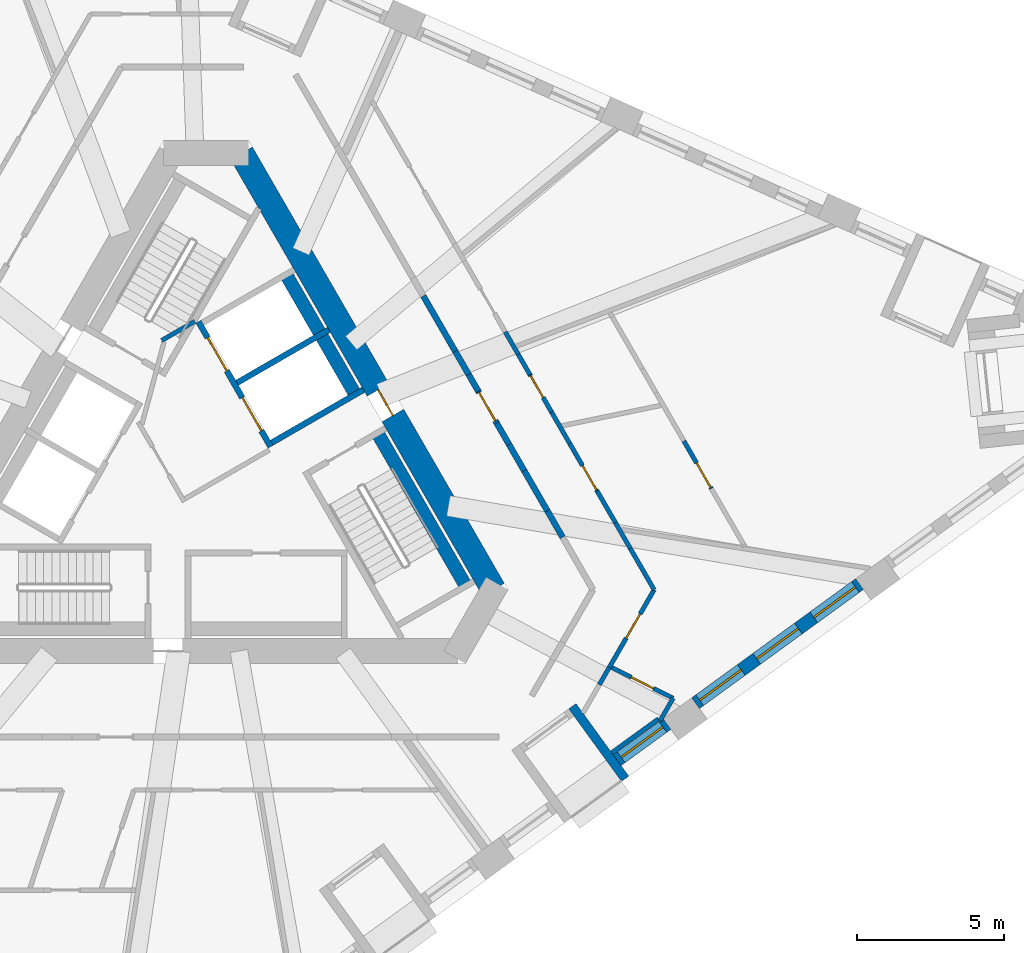
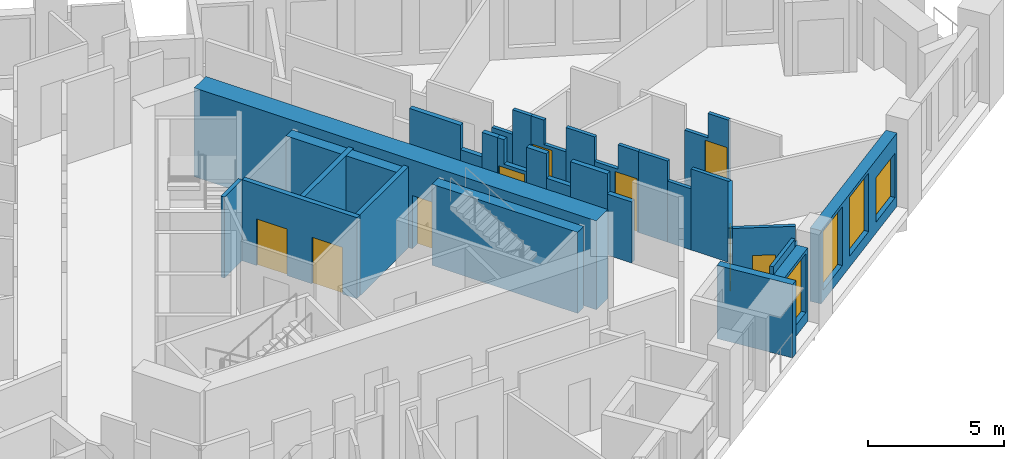
# One storey, part 5 of 14: 32 walls, 9 doors, 4 windows, 13 openings.
"""IFC4 building model written with IfcOpenShell, lengths in metres."""

from ifc_helpers import new_model, si_unit, direction, frame, frame_2d, origin, place, context, subcontext, project, spatial, polyline, rectangle, outline, extrude, material, layer, layer_set, type_object, element, fill, save


model = new_model("IFC4")

# Units and contexts
model_context = context("Model", 3, precision=1e-05, world=origin(), true_north=direction((0.0, 1.0)))
body_context = subcontext(model_context, "Body", "Model", "MODEL_VIEW")
ifc_project = project(units=[si_unit("LENGTHUNIT", "METRE"), si_unit("AREAUNIT", "SQUARE_METRE"), si_unit("VOLUMEUNIT", "CUBIC_METRE"), si_unit("PLANEANGLEUNIT", "RADIAN"), si_unit("MASSUNIT", "GRAM", prefix="KILO")], contexts=[model_context])

# Site, building, storey
site_placement = place(None, origin())
site = spatial("IfcSite", under=ifc_project, at=site_placement, CompositionType="ELEMENT")
building_placement = place(site_placement, origin())
building = spatial("IfcBuilding", under=site, at=building_placement, Name="Tramontana Tower", CompositionType="ELEMENT")
storey_placement = place(building_placement, frame((0.0, 0.0, 162.800048828125)))
storey = spatial("IfcBuildingStorey", under=building, at=storey_placement, Name="L37", CompositionType="ELEMENT", Elevation=162.800048828125)

# Wall, opening, door
ifc_material_1 = material(Name="Concrete 70 MPa", Category="concrete")
ifc_layer_1 = layer(ifc_material_1, 0.85009765625)
ifc_layer_set_1 = layer_set([ifc_layer_1], Name="Core wall 850 70 MPa")
wall_type_1 = type_object("IfcWallType", Name="Core wall 850 70 MPa", PredefinedType="SHEAR", material=ifc_layer_set_1)
wall_1_placement = place(storey_placement, frame((9.757080078125, -4.25, 0.0), z_axis=(0.0, 0.0, 1.0), x_axis=(-0.499995289315, 0.866028123483, 0.0)))
wall_1 = element("IfcWall", 1, at=wall_1_placement, inside=storey, type_object=wall_type_1, Name="Core wall C5 L37", PredefinedType="SHEAR", context=body_context, shape_type="SweptSolid", body=[
    extrude(rectangle(XDim=17.118408203125, YDim=0.85009765625, at=frame_2d((8.55908203125, 0.0))), origin(), (0.0, 0.0, 1.0), 4.0),
])
opening_1_placement = place(wall_1_placement, frame((6.834228515625, 0.0, 0.0)))
opening_1 = element("IfcOpeningElement", 2, at=opening_1_placement, cuts=wall_1, Name="Opening RG3", PredefinedType="OPENING", context=body_context, shape_type="SweptSolid", body=[
    extrude(rectangle(XDim=1.0, YDim=2.39990234375, at=frame_2d((0.5, 1.199951171875))), frame((0.0, 0.43505859375, 0.0), z_axis=(0.0, -1.0, 0.0), x_axis=(1.0, 0.0, 0.0)), (0.0, 0.0, 1.0), 0.8701171875),
])
ifc_material_2 = material(Name="Painted steel", Category="steel")
door_type_1 = type_object("IfcDoorType", Name="RING DOOR 1000", OperationType="SINGLE_SWING_LEFT", PredefinedType="DOOR", material=ifc_material_2)
door_1_placement = place(opening_1_placement, origin())
door_1 = element("IfcDoor", 3, at=door_1_placement, inside=storey, type_object=door_type_1, Name="Door RG3", OperationType="SINGLE_SWING_LEFT", OverallHeight=2.39990234375, OverallWidth=1.0, PredefinedType="DOOR", context=body_context, shape_type="SweptSolid", body=[
    extrude(rectangle(XDim=1.0, YDim=2.39990234375, at=frame_2d((0.5, 1.199951171875))), frame((0.0, 0.02490234375, 0.0), z_axis=(0.0, -1.0, 0.0), x_axis=(1.0, 0.0, 0.0)), (0.0, 0.0, 1.0), 0.050048828125),
])
fill(opening_1, door_1)

# Walls
ifc_material_3 = material(Name="Blockwork", Category="masonry")
ifc_layer_2 = layer(ifc_material_3, 0.199951171875)
ifc_layer_set_2 = layer_set([ifc_layer_2], Name="ENTRY WALL 200")
wall_type_2 = type_object("IfcWallType", Name="ENTRY WALL 200", PredefinedType="SOLIDWALL", material=ifc_layer_set_2)
wall_2_placement = place(storey_placement, frame((7.37548828125, 5.725341796875, 0.0), z_axis=(0.0, 0.0, 1.0), x_axis=(0.499975720793, -0.866039420937, 0.0)))
element("IfcWall", 4, at=wall_2_placement, inside=storey, type_object=wall_type_2, Name="Wall v40-ew0-4", PredefinedType="SOLIDWALL", context=body_context, shape_type="SweptSolid", body=[
    extrude(rectangle(XDim=2.16943359375, YDim=0.199951171875, at=frame_2d((1.084716796875, 0.0))), origin(), (0.0, 0.0, 1.0), 3.64990234375),
])
wall_3_placement = place(storey_placement, frame((8.460205078125, 3.846435546875, 0.0), z_axis=(0.0, 0.0, 1.0), x_axis=(0.499977996243, -0.866038107287, 0.0)))
element("IfcWall", 5, at=wall_3_placement, inside=storey, type_object=wall_type_2, Name="Wall v40-ew0-5", PredefinedType="SOLIDWALL", context=body_context, shape_type="SweptSolid", body=[
    extrude(rectangle(XDim=0.90966796875, YDim=0.199951171875, at=frame_2d((0.454833984375, 0.0))), origin(), (0.0, 0.0, 1.0), 2.550048828125),
])
wall_4_placement = place(storey_placement, frame((8.9150390625, 3.05859375, 0.0), z_axis=(0.0, 0.0, 1.0), x_axis=(0.49988272303, -0.866093103087, 0.0)))
element("IfcWall", 6, at=wall_4_placement, inside=storey, type_object=wall_type_2, Name="Wall v40-ew0-6", PredefinedType="SOLIDWALL", context=body_context, shape_type="SweptSolid", body=[
    extrude(rectangle(XDim=0.659423828125, YDim=0.199951171875, at=frame_2d((0.32958984375, 0.0))), origin(), (0.0, 0.0, 1.0), 3.64990234375),
])

# Wall, opening, door
wall_5_placement = place(storey_placement, frame((9.24462890625, 2.487548828125, 0.0), z_axis=(0.0, 0.0, 1.0), x_axis=(0.500124074208, -0.865953757655, 0.0)))
wall_5 = element("IfcWall", 7, at=wall_5_placement, inside=storey, type_object=wall_type_2, Name="Wall v40-ew0-7", PredefinedType="SOLIDWALL", context=body_context, shape_type="SweptSolid", body=[
    extrude(outline(polyline([(0.0, 0.0), (1.245361328125, 0.0), (1.2451171875, 2.550048828125), (0.291748046875, 2.550048828125), (0.291748046875, 3.64990234375), (0.0, 3.64990234375), (0.0, 0.0)])), frame((0.0, 0.10009765625, 0.0), z_axis=(0.0, -1.0, 0.0), x_axis=(1.0, 0.0, 0.0)), (0.0, 0.0, 1.0), 0.199951171875),
])
opening_2_placement = place(wall_5_placement, frame((0.050048828125, 0.0, 0.0)))
opening_2 = element("IfcOpeningElement", 8, at=opening_2_placement, cuts=wall_5, Name="Opening B4A-24", PredefinedType="OPENING", context=body_context, shape_type="SweptSolid", body=[
    extrude(rectangle(XDim=1.10009765625, YDim=2.39990234375, at=frame_2d((0.550048828125, 1.199951171875))), frame((0.0, 0.10986328125, 0.0), z_axis=(0.0, -1.0, 0.0), x_axis=(1.0, 0.0, 0.0)), (0.0, 0.0, 1.0), 0.219970703125),
])
ifc_material_4 = material(Name="Painted timber", Category="wood")
door_type_2 = type_object("IfcDoorType", Name="DOOR ENTRY 1100", OperationType="SINGLE_SWING_LEFT", PredefinedType="DOOR", material=ifc_material_4)
door_2_placement = place(opening_2_placement, origin())
door_2 = element("IfcDoor", 9, at=door_2_placement, inside=storey, type_object=door_type_2, Name="Door B4A-24", OperationType="SINGLE_SWING_RIGHT", OverallHeight=2.39990234375, OverallWidth=1.10009765625, PredefinedType="DOOR", context=body_context, shape_type="SweptSolid", body=[
    extrude(rectangle(XDim=1.10009765625, YDim=2.39990234375, at=frame_2d((0.550048828125, 1.199951171875))), frame((0.0, 0.02490234375, 0.0), z_axis=(0.0, -1.0, 0.0), x_axis=(1.0, 0.0, 0.0)), (0.0, 0.0, 1.0), 0.050048828125),
])
fill(opening_2, door_2)

# Walls
wall_6_placement = place(storey_placement, frame((9.867431640625, 1.4091796875, 0.0), z_axis=(0.0, 0.0, 1.0), x_axis=(0.499822960955, -0.8661275932, 0.0)))
element("IfcWall", 10, at=wall_6_placement, inside=storey, type_object=wall_type_2, Name="Wall v40-ew0-8", PredefinedType="SOLIDWALL", context=body_context, shape_type="SweptSolid", body=[
    extrude(rectangle(XDim=0.841064453125, YDim=0.199951171875, at=frame_2d((0.42041015625, 0.0))), origin(), (0.0, 0.0, 1.0), 3.64990234375),
])
wall_7_placement = place(storey_placement, frame((10.287841796875, 0.6806640625, 0.0), z_axis=(0.0, 0.0, 1.0), x_axis=(0.500079402778, -0.865979555715, 0.0)))
element("IfcWall", 11, at=wall_7_placement, inside=storey, type_object=wall_type_2, Name="Wall v40-ew0-9", PredefinedType="SOLIDWALL", context=body_context, shape_type="SweptSolid", body=[
    extrude(rectangle(XDim=1.026123046875, YDim=0.199951171875, at=frame_2d((0.51318359375, 0.0))), origin(), (0.0, 0.0, 1.0), 2.550048828125),
])
wall_8_placement = place(storey_placement, frame((10.801025390625, -0.2080078125, 0.0), z_axis=(0.0, 0.0, 1.0), x_axis=(0.500031717574, -0.86600709086, 0.0)))
element("IfcWall", 12, at=wall_8_placement, inside=storey, type_object=wall_type_2, Name="Wall v40-ew0-10", PredefinedType="SOLIDWALL", context=body_context, shape_type="SweptSolid", body=[
    extrude(rectangle(XDim=1.57177734375, YDim=0.199951171875, at=frame_2d((0.785888671875, 0.0))), origin(), (0.0, 0.0, 1.0), 3.64990234375),
])
wall_9_placement = place(storey_placement, frame((11.5869140625, -1.569091796875, 0.0), z_axis=(0.0, 0.0, 1.0), x_axis=(0.500054530113, -0.86599391852, 0.0)))
element("IfcWall", 13, at=wall_9_placement, inside=storey, type_object=wall_type_2, Name="Wall v40-ew0-11", PredefinedType="SOLIDWALL", context=body_context, shape_type="SweptSolid", body=[
    extrude(rectangle(XDim=1.03955078125, YDim=0.199951171875, at=frame_2d((0.519775390625, 0.0))), origin(), (0.0, 0.0, 1.0), 2.75),
])

# Wall, opening, window
ifc_material_5 = material(Name="Precast concrete 60 MPa", Category="concrete")
ifc_layer_3 = layer(ifc_material_5, 0.449951171875)
ifc_layer_set_3 = layer_set([ifc_layer_3], Name="Precast concrete 60 MPa, 450 mm")
wall_type_3 = type_object("IfcWallType", Name="EW1 Stone-faced precast wall 450", PredefinedType="SOLIDWALL", material=ifc_layer_set_3)
wall_10_placement = place(storey_placement, frame((13.955078125, -10.039794921875, 0.0), z_axis=(0.0, 0.0, 1.0), x_axis=(0.809028366311, 0.587769599847, 0.0)))
wall_10 = element("IfcWall", 14, at=wall_10_placement, inside=storey, type_object=wall_type_3, Name="External wall L37 face 1 bay 4", PredefinedType="SOLIDWALL", context=body_context, shape_type="SweptSolid", body=[
    extrude(rectangle(XDim=2.09423828125, YDim=0.449951171875, at=frame_2d((1.047119140625, 0.0))), origin(), (0.0, 0.0, 1.0), 3.300048828125),
])
opening_3_placement = place(wall_10_placement, frame((0.172119140625, 0.0, 0.5)))
opening_3 = element("IfcOpeningElement", 15, at=opening_3_placement, cuts=wall_10, Name="Opening M2", PredefinedType="OPENING", context=body_context, shape_type="SweptSolid", body=[
    extrude(rectangle(XDim=1.75, YDim=2.64990234375, at=frame_2d((0.875, 1.324951171875))), frame((0.0, 0.23486328125, 0.0), z_axis=(0.0, -1.0, 0.0), x_axis=(1.0, 0.0, 0.0)), (0.0, 0.0, 1.0), 0.469970703125),
])
ifc_material_6 = material(Name="Aluminum frame, double glazing unit", Category="aluminium")
window_type_1 = type_object("IfcWindowType", Name="M2 Window 1.75 x 2.65", PartitioningType="SINGLE_PANEL", PredefinedType="WINDOW", material=ifc_material_6)
window_1_placement = place(opening_3_placement, origin())
window_1 = element("IfcWindow", 16, at=window_1_placement, inside=storey, type_object=window_type_1, Name="Window M2 L37 face 1 module 12", OverallHeight=2.64990234375, OverallWidth=1.75, PartitioningType="SINGLE_PANEL", PredefinedType="WINDOW", context=body_context, shape_type="SweptSolid", body=[
    extrude(rectangle(XDim=1.75, YDim=2.64990234375, at=frame_2d((0.875, 1.324951171875))), frame((0.0, 0.030029296875, 0.0), z_axis=(0.0, -1.0, 0.0), x_axis=(1.0, 0.0, 0.0)), (0.0, 0.0, 1.0), 0.06005859375),
])
fill(opening_3, window_1)

# Wall, openings, windows
wall_11_placement = place(storey_placement, frame((16.6201171875, -8.103515625, 0.0), z_axis=(0.0, 0.0, 1.0), x_axis=(0.809016690404, 0.587785670672, 0.0)))
wall_11 = element("IfcWall", 17, at=wall_11_placement, inside=storey, type_object=wall_type_3, Name="External wall L37 face 1 bay 5", PredefinedType="SOLIDWALL", context=body_context, shape_type="SweptSolid", body=[
    extrude(rectangle(XDim=6.8828125, YDim=0.449951171875, at=frame_2d((3.44140625, 0.0))), origin(), (0.0, 0.0, 1.0), 3.300048828125),
])
opening_4_placement = place(wall_11_placement, frame((0.172119140625, 0.0, 0.5)))
opening_4 = element("IfcOpeningElement", 18, at=opening_4_placement, cuts=wall_11, Name="Opening M2", PredefinedType="OPENING", context=body_context, shape_type="SweptSolid", body=[
    extrude(rectangle(XDim=1.75, YDim=2.64990234375, at=frame_2d((0.875, 1.324951171875))), frame((0.0, 0.23486328125, 0.0), z_axis=(0.0, -1.0, 0.0), x_axis=(1.0, 0.0, 0.0)), (0.0, 0.0, 1.0), 0.469970703125),
])
opening_5_placement = place(wall_11_placement, frame((2.56640625, 0.0, 0.5)))
opening_5 = element("IfcOpeningElement", 19, at=opening_5_placement, cuts=wall_11, Name="Opening M2", PredefinedType="OPENING", context=body_context, shape_type="SweptSolid", body=[
    extrude(rectangle(XDim=1.75, YDim=2.64990234375, at=frame_2d((0.875, 1.324951171875))), frame((0.0, 0.23486328125, 0.0), z_axis=(0.0, -1.0, 0.0), x_axis=(1.0, 0.0, 0.0)), (0.0, 0.0, 1.0), 0.469970703125),
])
opening_6_placement = place(wall_11_placement, frame((4.960693359375, 0.0, 0.5)))
opening_6 = element("IfcOpeningElement", 20, at=opening_6_placement, cuts=wall_11, Name="Opening M2L", PredefinedType="OPENING", context=body_context, shape_type="SweptSolid", body=[
    extrude(rectangle(XDim=1.75, YDim=2.0, at=frame_2d((0.875, 1.0))), frame((0.0, 0.23486328125, 0.0), z_axis=(0.0, -1.0, 0.0), x_axis=(1.0, 0.0, 0.0)), (0.0, 0.0, 1.0), 0.469970703125),
])
window_2_placement = place(opening_4_placement, origin())
window_2 = element("IfcWindow", 21, at=window_2_placement, inside=storey, type_object=window_type_1, Name="Window M2 L37 face 1 module 13", OverallHeight=2.64990234375, OverallWidth=1.75, PartitioningType="SINGLE_PANEL", PredefinedType="WINDOW", context=body_context, shape_type="SweptSolid", body=[
    extrude(rectangle(XDim=1.75, YDim=2.64990234375, at=frame_2d((0.875, 1.324951171875))), frame((0.0, 0.030029296875, 0.0), z_axis=(0.0, -1.0, 0.0), x_axis=(1.0, 0.0, 0.0)), (0.0, 0.0, 1.0), 0.06005859375),
])
fill(opening_4, window_2)
window_3_placement = place(opening_5_placement, origin())
window_3 = element("IfcWindow", 22, at=window_3_placement, inside=storey, type_object=window_type_1, Name="Window M2 L37 face 1 module 14", OverallHeight=2.64990234375, OverallWidth=1.75, PartitioningType="SINGLE_PANEL", PredefinedType="WINDOW", context=body_context, shape_type="SweptSolid", body=[
    extrude(rectangle(XDim=1.75, YDim=2.64990234375, at=frame_2d((0.875, 1.324951171875))), frame((0.0, 0.030029296875, 0.0), z_axis=(0.0, -1.0, 0.0), x_axis=(1.0, 0.0, 0.0)), (0.0, 0.0, 1.0), 0.06005859375),
])
fill(opening_5, window_3)
ifc_material_7 = material(Name="Aluminum frame, double glazing unit", Category="aluminium")
window_type_2 = type_object("IfcWindowType", Name="M2L Window 1.75 x 2", PartitioningType="SINGLE_PANEL", PredefinedType="WINDOW", material=ifc_material_7)
window_4_placement = place(opening_6_placement, origin())
window_4 = element("IfcWindow", 23, at=window_4_placement, inside=storey, type_object=window_type_2, Name="Window M2L L37 face 1 module 15", OverallHeight=2.0, OverallWidth=1.75, PartitioningType="SINGLE_PANEL", PredefinedType="WINDOW", context=body_context, shape_type="SweptSolid", body=[
    extrude(rectangle(XDim=1.75, YDim=2.0, at=frame_2d((0.875, 1.0))), frame((0.0, 0.030029296875, 0.0), z_axis=(0.0, -1.0, 0.0), x_axis=(1.0, 0.0, 0.0)), (0.0, 0.0, 1.0), 0.06005859375),
])
fill(opening_6, window_4)

# Walls
ifc_material_8 = material(Name="Precast concrete 60 MPa", Category="concrete")
ifc_layer_4 = layer(ifc_material_8, 0.300048828125)
ifc_layer_set_4 = layer_set([ifc_layer_4], Name="LW1 Stone-faced loggia wall 300")
wall_type_4 = type_object("IfcWallType", Name="LW1 Stone-faced loggia wall 300", PredefinedType="SOLIDWALL", material=ifc_layer_set_4)
wall_12_placement = place(storey_placement, frame((14.23046875, -10.674072265625, 0.0), z_axis=(0.0, 0.0, 1.0), x_axis=(-0.587776590479, 0.80902328748, 0.0)))
element("IfcWall", 24, at=wall_12_placement, inside=storey, type_object=wall_type_4, Name="Loggia return L37 G4S1.10b", PredefinedType="SOLIDWALL", context=body_context, shape_type="SweptSolid", body=[
    extrude(rectangle(XDim=3.050048828125, YDim=0.300048828125, at=frame_2d((1.52490234375, 0.0))), origin(), (0.0, 0.0, 1.0), 3.300048828125),
])
ifc_material_9 = material(Name="Gypsum board partition")
ifc_layer_5 = layer(ifc_material_9, 0.14990234375)
ifc_layer_set_5 = layer_set([ifc_layer_5], Name="PARTITION 150")
wall_type_5 = type_object("IfcWallType", Name="PARTITION 150", PredefinedType="PARTITIONING", material=ifc_layer_set_5)
wall_13_placement = place(storey_placement, frame((-1.509765625, 4.21484375, 0.0), z_axis=(0.0, 0.0, 1.0), x_axis=(0.866085525409, 0.49989585183, 0.0)))
element("IfcWall", 25, at=wall_13_placement, inside=storey, type_object=wall_type_5, Name="Wall ff-end1", PredefinedType="PARTITIONING", context=body_context, shape_type="SweptSolid", body=[
    extrude(rectangle(XDim=1.300048828125, YDim=0.14990234375, at=frame_2d((0.64990234375, 0.0))), origin(), (0.0, 0.0, 1.0), 3.64990234375),
])
wall_14_placement = place(storey_placement, frame((10.1572265625, 4.50732421875, 0.0), z_axis=(0.0, 0.0, 1.0), x_axis=(0.499969398072, -0.866043071095, 0.0)))
element("IfcWall", 26, at=wall_14_placement, inside=storey, type_object=wall_type_5, Name="Wall v40-pw24-4", PredefinedType="PARTITIONING", context=body_context, shape_type="SweptSolid", body=[
    extrude(rectangle(XDim=0.88427734375, YDim=0.14990234375, at=frame_2d((0.442138671875, 0.0))), origin(), (0.0, 0.0, 1.0), 2.550048828125),
])
wall_15_placement = place(storey_placement, frame((10.599365234375, 3.741455078125, 0.0), z_axis=(0.0, 0.0, 1.0), x_axis=(0.499865263774, -0.866103179807, 0.0)))
element("IfcWall", 27, at=wall_15_placement, inside=storey, type_object=wall_type_5, Name="Wall v40-pw24-5", PredefinedType="PARTITIONING", context=body_context, shape_type="SweptSolid", body=[
    extrude(rectangle(XDim=0.789306640625, YDim=0.14990234375, at=frame_2d((0.39453125, 0.0))), origin(), (0.0, 0.0, 1.0), 3.64990234375),
])

# Wall, opening, door
wall_16_placement = place(storey_placement, frame((10.993896484375, 3.057861328125, 0.0), z_axis=(0.0, 0.0, 1.0), x_axis=(0.500022136814, -0.866012622712, 0.0)))
wall_16 = element("IfcWall", 28, at=wall_16_placement, inside=storey, type_object=wall_type_5, Name="Wall v40-pw24-6", PredefinedType="PARTITIONING", context=body_context, shape_type="SweptSolid", body=[
    extrude(outline(polyline([(0.0, 0.0), (1.48095703125, 0.0), (1.48095703125, 2.550048828125), (0.553955078125, 2.550048828125), (0.553955078125, 3.64990234375), (0.0, 3.64990234375), (0.0, 0.0)])), frame((0.0, 0.074951171875, 0.0), z_axis=(0.0, -1.0, 0.0), x_axis=(1.0, 0.0, 0.0)), (0.0, 0.0, 1.0), 0.14990234375),
])
opening_7_placement = place(wall_16_placement, frame((0.050048828125, 0.0, 0.0)))
opening_7 = element("IfcOpeningElement", 29, at=opening_7_placement, cuts=wall_16, Name="Opening B4A-16", PredefinedType="OPENING", context=body_context, shape_type="SweptSolid", body=[
    extrude(rectangle(XDim=0.85009765625, YDim=2.39990234375, at=frame_2d((0.425048828125, 1.199951171875))), frame((0.0, 0.0849609375, 0.0), z_axis=(0.0, -1.0, 0.0), x_axis=(1.0, 0.0, 0.0)), (0.0, 0.0, 1.0), 0.169921875),
])
ifc_material_10 = material(Name="Painted timber", Category="wood")
door_type_3 = type_object("IfcDoorType", Name="DOOR BATH 850", OperationType="SINGLE_SWING_LEFT", PredefinedType="DOOR", material=ifc_material_10)
door_3_placement = place(opening_7_placement, origin())
door_3 = element("IfcDoor", 30, at=door_3_placement, inside=storey, type_object=door_type_3, Name="Door B4A-16", OperationType="SINGLE_SWING_RIGHT", OverallHeight=2.39990234375, OverallWidth=0.85009765625, PredefinedType="DOOR", context=body_context, shape_type="SweptSolid", body=[
    extrude(rectangle(XDim=0.85009765625, YDim=2.39990234375, at=frame_2d((0.425048828125, 1.199951171875))), frame((0.0, 0.02490234375, 0.0), z_axis=(0.0, -1.0, 0.0), x_axis=(1.0, 0.0, 0.0)), (0.0, 0.0, 1.0), 0.050048828125),
])
fill(opening_7, door_3)

# Wall
wall_17_placement = place(storey_placement, frame((11.734375, 1.775390625, 0.0), z_axis=(0.0, 0.0, 1.0), x_axis=(0.499975448907, -0.8660395779, 0.0)))
element("IfcWall", 31, at=wall_17_placement, inside=storey, type_object=wall_type_5, Name="Wall v40-pw24-7", PredefinedType="PARTITIONING", context=body_context, shape_type="SweptSolid", body=[
    extrude(rectangle(XDim=1.22509765625, YDim=0.14990234375, at=frame_2d((0.612548828125, 0.0))), origin(), (0.0, 0.0, 1.0), 3.64990234375),
])

# Wall, opening, door
wall_18_placement = place(storey_placement, frame((12.346923828125, 0.71435546875, 0.0), z_axis=(0.0, 0.0, 1.0), x_axis=(0.499998297855, -0.866026386516, 0.0)))
wall_18 = element("IfcWall", 32, at=wall_18_placement, inside=storey, type_object=wall_type_5, Name="Wall v40-pw24-8", PredefinedType="PARTITIONING", context=body_context, shape_type="SweptSolid", body=[
    extrude(outline(polyline([(0.0, 0.0), (1.8642578125, 0.0), (1.864501953125, 3.64990234375), (0.997802734375, 3.64990234375), (0.997802734375, 2.550048828125), (0.0, 2.550048828125), (0.0, 0.0)])), frame((0.0, 0.074951171875, 0.0), z_axis=(0.0, -1.0, 0.0), x_axis=(1.0, 0.0, 0.0)), (0.0, 0.0, 1.0), 0.14990234375),
])
opening_8_placement = place(wall_18_placement, frame((0.864501953125, 0.0, 0.0)))
opening_8 = element("IfcOpeningElement", 33, at=opening_8_placement, cuts=wall_18, Name="Opening B4A-15", PredefinedType="OPENING", context=body_context, shape_type="SweptSolid", body=[
    extrude(rectangle(XDim=0.949951171875, YDim=2.39990234375, at=frame_2d((0.47509765625, 1.199951171875))), frame((0.0, 0.0849609375, 0.0), z_axis=(0.0, -1.0, 0.0), x_axis=(1.0, 0.0, 0.0)), (0.0, 0.0, 1.0), 0.169921875),
])
ifc_material_11 = material(Name="Painted timber", Category="wood")
door_type_4 = type_object("IfcDoorType", Name="DOOR ROOM 950", OperationType="SINGLE_SWING_LEFT", PredefinedType="DOOR", material=ifc_material_11)
door_4_placement = place(opening_8_placement, origin())
door_4 = element("IfcDoor", 34, at=door_4_placement, inside=storey, type_object=door_type_4, Name="Door B4A-15", OperationType="SINGLE_SWING_LEFT", OverallHeight=2.39990234375, OverallWidth=0.949951171875, PredefinedType="DOOR", context=body_context, shape_type="SweptSolid", body=[
    extrude(rectangle(XDim=0.949951171875, YDim=2.39990234375, at=frame_2d((0.47509765625, 1.199951171875))), frame((0.0, 0.02490234375, 0.0), z_axis=(0.0, -1.0, 0.0), x_axis=(1.0, 0.0, 0.0)), (0.0, 0.0, 1.0), 0.050048828125),
])
fill(opening_8, door_4)

# Walls
wall_19_placement = place(storey_placement, frame((13.279052734375, -0.900146484375, 0.0), z_axis=(0.0, 0.0, 1.0), x_axis=(0.500090980937, -0.865972869544, 0.0)))
element("IfcWall", 35, at=wall_19_placement, inside=storey, type_object=wall_type_5, Name="Wall v40-pw24-9", PredefinedType="PARTITIONING", context=body_context, shape_type="SweptSolid", body=[
    extrude(rectangle(XDim=1.242431640625, YDim=0.14990234375, at=frame_2d((0.62109375, 0.0))), origin(), (0.0, 0.0, 1.0), 3.64990234375),
])
wall_20_placement = place(storey_placement, frame((13.900390625, -1.97607421875, 0.0), z_axis=(0.0, 0.0, 1.0), x_axis=(0.499946326053, -0.866056390234, 0.0)))
element("IfcWall", 36, at=wall_20_placement, inside=storey, type_object=wall_type_5, Name="Wall v40-pw24-10", PredefinedType="PARTITIONING", context=body_context, shape_type="SweptSolid", body=[
    extrude(rectangle(XDim=1.0068359375, YDim=0.14990234375, at=frame_2d((0.50341796875, 0.0))), origin(), (0.0, 0.0, 1.0), 2.75),
])
wall_21_placement = place(storey_placement, frame((14.40380859375, -2.84814453125, 0.0), z_axis=(0.0, 0.0, 1.0), x_axis=(0.499983569942, -0.866034889475, 0.0)))
element("IfcWall", 37, at=wall_21_placement, inside=storey, type_object=wall_type_5, Name="Wall v40-pw24-11", PredefinedType="PARTITIONING", context=body_context, shape_type="SweptSolid", body=[
    extrude(rectangle(XDim=1.61865234375, YDim=0.14990234375, at=frame_2d((0.809326171875, 0.0))), origin(), (0.0, 0.0, 1.0), 3.64990234375),
])

# Wall, opening, door
wall_22_placement = place(storey_placement, frame((16.22265625, 0.80126953125, 0.0), z_axis=(0.0, 0.0, 1.0), x_axis=(0.500061949227, -0.865989634427, 0.0)))
wall_22 = element("IfcWall", 38, at=wall_22_placement, inside=storey, type_object=wall_type_5, Name="Wall v40-pw31-4", PredefinedType="PARTITIONING", context=body_context, shape_type="SweptSolid", body=[
    extrude(outline(polyline([(0.0, 0.0), (1.867431640625, 0.0), (1.867431640625, 3.64990234375), (0.997802734375, 3.64990234375), (0.997802734375, 2.550048828125), (0.0, 2.550048828125), (0.0, 0.0)])), frame((0.0, 0.074951171875, 0.0), z_axis=(0.0, -1.0, 0.0), x_axis=(1.0, 0.0, 0.0)), (0.0, 0.0, 1.0), 0.14990234375),
])
opening_9_placement = place(wall_22_placement, frame((0.867431640625, 0.0, 0.0)))
opening_9 = element("IfcOpeningElement", 39, at=opening_9_placement, cuts=wall_22, Name="Opening B4A-21", PredefinedType="OPENING", context=body_context, shape_type="SweptSolid", body=[
    extrude(rectangle(XDim=0.949951171875, YDim=2.39990234375, at=frame_2d((0.47509765625, 1.199951171875))), frame((0.0, 0.0849609375, 0.0), z_axis=(0.0, -1.0, 0.0), x_axis=(1.0, 0.0, 0.0)), (0.0, 0.0, 1.0), 0.169921875),
])
door_5_placement = place(opening_9_placement, origin())
door_5 = element("IfcDoor", 40, at=door_5_placement, inside=storey, type_object=door_type_4, Name="Door B4A-21", OperationType="SINGLE_SWING_LEFT", OverallHeight=2.39990234375, OverallWidth=0.949951171875, PredefinedType="DOOR", context=body_context, shape_type="SweptSolid", body=[
    extrude(rectangle(XDim=0.949951171875, YDim=2.39990234375, at=frame_2d((0.47509765625, 1.199951171875))), frame((0.0, 0.02490234375, 0.0), z_axis=(0.0, -1.0, 0.0), x_axis=(1.0, 0.0, 0.0)), (0.0, 0.0, 1.0), 0.050048828125),
])
fill(opening_9, door_5)

wall_23_placement = place(storey_placement, frame((15.85791015625, -7.93310546875, 0.0), z_axis=(0.0, 0.0, 1.0), x_axis=(-0.894343317487, 0.447381303215, 0.0)))
wall_23 = element("IfcWall", 41, at=wall_23_placement, inside=storey, type_object=wall_type_5, Name="Wall v40-pw32", PredefinedType="PARTITIONING", context=body_context, shape_type="SweptSolid", body=[
    extrude(rectangle(XDim=2.3291015625, YDim=0.14990234375, at=frame_2d((1.16455078125, 0.0))), origin(), (0.0, 0.0, 1.0), 3.64990234375),
])
opening_10_placement = place(wall_23_placement, frame((0.739501953125, 0.0, 0.0)))
opening_10 = element("IfcOpeningElement", 42, at=opening_10_placement, cuts=wall_23, Name="Opening B4A-20", PredefinedType="OPENING", context=body_context, shape_type="SweptSolid", body=[
    extrude(rectangle(XDim=0.85009765625, YDim=2.39990234375, at=frame_2d((0.425048828125, 1.199951171875))), frame((0.0, 0.0849609375, 0.0), z_axis=(0.0, -1.0, 0.0), x_axis=(1.0, 0.0, 0.0)), (0.0, 0.0, 1.0), 0.169921875),
])
door_6_placement = place(opening_10_placement, origin())
door_6 = element("IfcDoor", 43, at=door_6_placement, inside=storey, type_object=door_type_3, Name="Door B4A-20", OperationType="SINGLE_SWING_RIGHT", OverallHeight=2.39990234375, OverallWidth=0.85009765625, PredefinedType="DOOR", context=body_context, shape_type="SweptSolid", body=[
    extrude(rectangle(XDim=0.85009765625, YDim=2.39990234375, at=frame_2d((0.425048828125, 1.199951171875))), frame((0.0, 0.02490234375, 0.0), z_axis=(0.0, -1.0, 0.0), x_axis=(1.0, 0.0, 0.0)), (0.0, 0.0, 1.0), 0.050048828125),
])
fill(opening_10, door_6)

wall_24_placement = place(storey_placement, frame((15.213134765625, -4.25, 0.0), z_axis=(0.0, 0.0, 1.0), x_axis=(-0.500018497585, -0.866014723935, 0.0)))
wall_24 = element("IfcWall", 44, at=wall_24_placement, inside=storey, type_object=wall_type_5, Name="Wall v40-pw33-0", PredefinedType="PARTITIONING", context=body_context, shape_type="SweptSolid", body=[
    extrude(rectangle(XDim=3.0458984375, YDim=0.14990234375, at=frame_2d((1.52294921875, 0.0))), origin(), (0.0, 0.0, 1.0), 3.64990234375),
])
opening_11_placement = place(wall_24_placement, frame((0.9501953125, 0.0, 0.0)))
opening_11 = element("IfcOpeningElement", 45, at=opening_11_placement, cuts=wall_24, Name="Opening B4A-17", PredefinedType="OPENING", context=body_context, shape_type="SweptSolid", body=[
    extrude(rectangle(XDim=0.949951171875, YDim=2.39990234375, at=frame_2d((0.47509765625, 1.199951171875))), frame((0.0, 0.0849609375, 0.0), z_axis=(0.0, -1.0, 0.0), x_axis=(1.0, 0.0, 0.0)), (0.0, 0.0, 1.0), 0.169921875),
])
door_7_placement = place(opening_11_placement, origin())
door_7 = element("IfcDoor", 46, at=door_7_placement, inside=storey, type_object=door_type_4, Name="Door B4A-17", OperationType="SINGLE_SWING_LEFT", OverallHeight=2.39990234375, OverallWidth=0.949951171875, PredefinedType="DOOR", context=body_context, shape_type="SweptSolid", body=[
    extrude(rectangle(XDim=0.949951171875, YDim=2.39990234375, at=frame_2d((0.47509765625, 1.199951171875))), frame((0.0, 0.02490234375, 0.0), z_axis=(0.0, -1.0, 0.0), x_axis=(1.0, 0.0, 0.0)), (0.0, 0.0, 1.0), 0.050048828125),
])
fill(opening_11, door_7)

# Walls
wall_25_placement = place(storey_placement, frame((13.690185546875, -6.8876953125, 0.0), z_axis=(0.0, 0.0, 1.0), x_axis=(-0.499910196476, -0.866077245666, 0.0)))
element("IfcWall", 47, at=wall_25_placement, inside=storey, type_object=wall_type_5, Name="Wall v40-pw33-1", PredefinedType="PARTITIONING", context=body_context, shape_type="SweptSolid", body=[
    extrude(rectangle(XDim=0.67529296875, YDim=0.14990234375, at=frame_2d((0.337646484375, 0.0))), origin(), (0.0, 0.0, 1.0), 2.949951171875),
])
wall_26_placement = place(storey_placement, frame((15.364501953125, -8.6328125, 0.0), z_axis=(0.0, 0.0, 1.0), x_axis=(-0.809036512602, -0.58775838682, 0.0)))
element("IfcWall", 48, at=wall_26_placement, inside=storey, type_object=wall_type_5, Name="Wall v40-pw34", PredefinedType="PARTITIONING", context=body_context, shape_type="SweptSolid", body=[
    extrude(rectangle(XDim=1.96728515625, YDim=0.14990234375, at=frame_2d((0.983642578125, 0.0))), origin(), (0.0, 0.0, 1.0), 3.64990234375),
])
wall_27_placement = place(storey_placement, frame((15.85791015625, -7.93310546875, 0.0), z_axis=(0.0, 0.0, 1.0), x_axis=(-0.500016243463, -0.866016025414, 0.0)))
element("IfcWall", 49, at=wall_27_placement, inside=storey, type_object=wall_type_5, Name="Wall v40-pw35-0", PredefinedType="PARTITIONING", context=body_context, shape_type="SweptSolid", body=[
    extrude(rectangle(XDim=0.88720703125, YDim=0.14990234375, at=frame_2d((0.443603515625, 0.0))), origin(), (0.0, 0.0, 1.0), 2.949951171875),
])
ifc_material_12 = material(Name="Concrete 70 MPa", Category="concrete")
ifc_layer_6 = layer(ifc_material_12, 0.449951171875)
ifc_layer_set_6 = layer_set([ifc_layer_6], Name="Concrete 70 MPa, 450 mm")
wall_type_6 = type_object("IfcWallType", Name="RC SHAFT BACK WALL 450", PredefinedType="SOLIDWALL", material=ifc_layer_set_6)
wall_28_placement = place(storey_placement, frame((8.8681640625, -4.2099609375, 0.0), z_axis=(0.0, 0.0, 1.0), x_axis=(-0.500009909098, 0.866019682689, 0.0)))
element("IfcWall", 50, at=wall_28_placement, inside=storey, type_object=wall_type_6, Name="Wall st3-back", PredefinedType="SOLIDWALL", context=body_context, shape_type="SweptSolid", body=[
    extrude(rectangle(XDim=6.199951171875, YDim=0.449951171875, at=frame_2d((3.10009765625, 0.0))), origin(), (0.0, 0.0, 1.0), 3.64990234375),
])
wall_29_placement = place(storey_placement, frame((5.113037109375, 2.2939453125, 0.0), z_axis=(0.0, 0.0, 1.0), x_axis=(-0.500002801628, 0.866023786258, 0.0)))
element("IfcWall", 51, at=wall_29_placement, inside=storey, type_object=wall_type_6, Name="Wall row2-back", PredefinedType="SOLIDWALL", context=body_context, shape_type="SweptSolid", body=[
    extrude(rectangle(XDim=4.89990234375, YDim=0.449951171875, at=frame_2d((2.449951171875, 0.0))), origin(), (0.0, 0.0, 1.0), 3.64990234375),
])

# Wall, openings, doors
ifc_material_13 = material(Name="Concrete 70 MPa", Category="concrete")
ifc_layer_7 = layer(ifc_material_13, 0.199951171875)
ifc_layer_set_7 = layer_set([ifc_layer_7], Name="Concrete 70 MPa, 200 mm")
wall_type_7 = type_object("IfcWallType", Name="RC STAIR AND SHAFT WALL 200", PredefinedType="SOLIDWALL", material=ifc_layer_set_7)
wall_30_placement = place(storey_placement, frame((2.190185546875, 0.6064453125, 0.0), z_axis=(0.0, 0.0, 1.0), x_axis=(-0.500002801628, 0.866023786258, 0.0)))
wall_30 = element("IfcWall", 52, at=wall_30_placement, inside=storey, type_object=wall_type_7, Name="Wall row2-front", PredefinedType="SOLIDWALL", context=body_context, shape_type="SweptSolid", body=[
    extrude(rectangle(XDim=4.89990234375, YDim=0.199951171875, at=frame_2d((2.449951171875, 0.0))), origin(), (0.0, 0.0, 1.0), 3.64990234375),
])
opening_12_placement = place(wall_30_placement, frame((0.625, 0.0, 0.0)))
opening_12 = element("IfcOpeningElement", 53, at=opening_12_placement, cuts=wall_30, Name="Opening LD-F1", PredefinedType="OPENING", context=body_context, shape_type="SweptSolid", body=[
    extrude(rectangle(XDim=1.300048828125, YDim=2.10009765625, at=frame_2d((0.64990234375, 1.050048828125))), frame((0.0, 0.10986328125, 0.0), z_axis=(0.0, -1.0, 0.0), x_axis=(1.0, 0.0, 0.0)), (0.0, 0.0, 1.0), 0.219970703125),
])
opening_13_placement = place(wall_30_placement, frame((2.97509765625, 0.0, 0.0)))
opening_13 = element("IfcOpeningElement", 54, at=opening_13_placement, cuts=wall_30, Name="Opening LD-F2", PredefinedType="OPENING", context=body_context, shape_type="SweptSolid", body=[
    extrude(rectangle(XDim=1.300048828125, YDim=2.10009765625, at=frame_2d((0.64990234375, 1.050048828125))), frame((0.0, 0.10986328125, 0.0), z_axis=(0.0, -1.0, 0.0), x_axis=(1.0, 0.0, 0.0)), (0.0, 0.0, 1.0), 0.219970703125),
])
ifc_material_14 = material(Name="Brushed steel", Category="steel")
door_type_5 = type_object("IfcDoorType", Name="LANDING DOOR 1300", OperationType="SINGLE_SWING_LEFT", PredefinedType="DOOR", material=ifc_material_14)
door_8_placement = place(opening_12_placement, origin())
door_8 = element("IfcDoor", 55, at=door_8_placement, inside=storey, type_object=door_type_5, Name="Door LD-F1", OperationType="SLIDING_TO_RIGHT", OverallHeight=2.10009765625, OverallWidth=1.300048828125, PredefinedType="DOOR", context=body_context, shape_type="SweptSolid", body=[
    extrude(rectangle(XDim=1.300048828125, YDim=2.10009765625, at=frame_2d((0.64990234375, 1.050048828125))), frame((0.0, 0.02490234375, 0.0), z_axis=(0.0, -1.0, 0.0), x_axis=(1.0, 0.0, 0.0)), (0.0, 0.0, 1.0), 0.050048828125),
])
fill(opening_12, door_8)
door_9_placement = place(opening_13_placement, origin())
door_9 = element("IfcDoor", 56, at=door_9_placement, inside=storey, type_object=door_type_5, Name="Door LD-F2", OperationType="SLIDING_TO_LEFT", OverallHeight=2.10009765625, OverallWidth=1.300048828125, PredefinedType="DOOR", context=body_context, shape_type="SweptSolid", body=[
    extrude(rectangle(XDim=1.300048828125, YDim=2.10009765625, at=frame_2d((0.64990234375, 1.050048828125))), frame((0.0, 0.02490234375, 0.0), z_axis=(0.0, -1.0, 0.0), x_axis=(1.0, 0.0, 0.0)), (0.0, 0.0, 1.0), 0.050048828125),
])
fill(opening_13, door_9)

# Walls
for number, where, z_axis, x_axis, name in (
    (57, (2.226806640625, 0.742919921875, 0.0), (0.0, 0.0, 1.0), (0.866018442252, 0.500012057535, 0.0), "Wall row2-side0"),
    (58, (1.0517578125, 2.778076171875, 0.0), (0.0, 0.0, 1.0), (0.866018442252, 0.500012057535, 0.0), "Wall row2-side1"),
):
    element("IfcWall", number, at=place(storey_placement, frame(where, z_axis=z_axis, x_axis=x_axis)), inside=storey, type_object=wall_type_7, Name=name, PredefinedType="SOLIDWALL", context=body_context, shape_type="SweptSolid", body=[
        extrude(rectangle(XDim=3.60009765625, YDim=0.199951171875, at=frame_2d((1.800048828125, 0.0))), origin(), (0.0, 0.0, 1.0), 3.64990234375),
    ])

save(model, "model.ifc")
